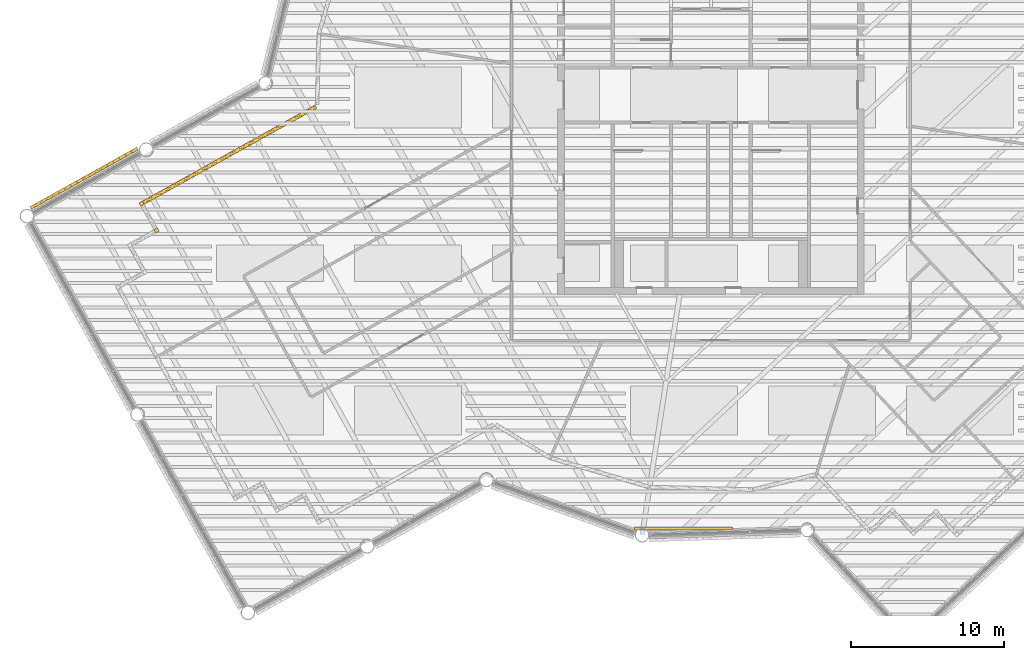
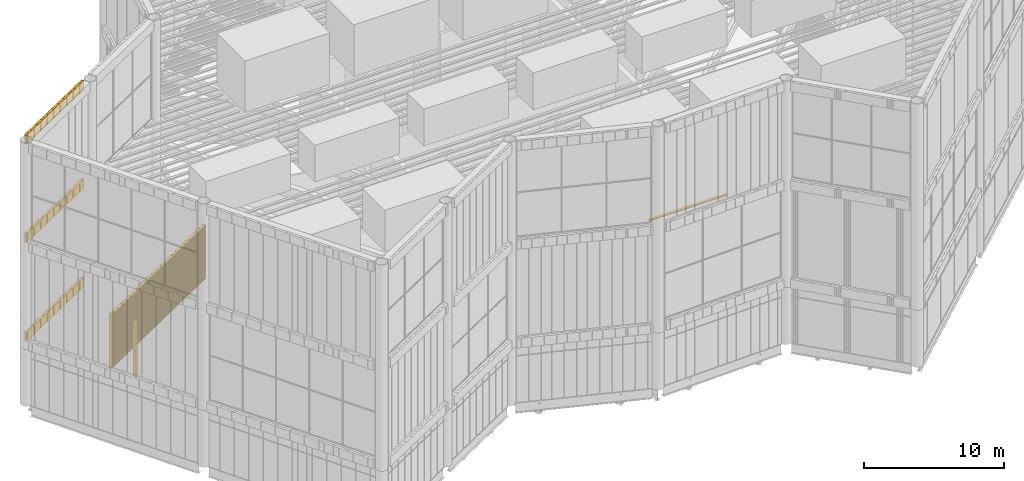
# One storey, part 92 of 117: 4 shading devices, 3 coverings.
"""IFC4 building model written with IfcOpenShell, lengths in metres."""

from ifc_helpers import new_model, si_unit, direction, frame, frame_2d, origin, origin_2d, place, context, subcontext, project, spatial, rectangle, composite_profile, extrude, material, type_object, element, save


model = new_model("IFC4")

# Units and contexts
model_context = context("Model", 3, precision=1e-05, world=origin(), true_north=direction((0.0, 1.0)))
body_context = subcontext(model_context, "Body", "Model", "MODEL_VIEW")
ifc_project = project(units=[si_unit("LENGTHUNIT", "METRE"), si_unit("AREAUNIT", "SQUARE_METRE"), si_unit("VOLUMEUNIT", "CUBIC_METRE"), si_unit("PLANEANGLEUNIT", "RADIAN"), si_unit("MASSUNIT", "GRAM", prefix="KILO")], contexts=[model_context])

# Site, building, storey
site_placement = place(None, origin())
site = spatial("IfcSite", under=ifc_project, at=site_placement, CompositionType="ELEMENT")
building_placement = place(site_placement, origin())
building = spatial("IfcBuilding", under=site, at=building_placement, Name="Tarsis Ring Headquarters", CompositionType="ELEMENT")
storey_placement = place(building_placement, frame((0.0, 0.0, 403.60009765625)))
storey = spatial("IfcBuildingStorey", under=building, at=storey_placement, Name="L95", CompositionType="ELEMENT", Elevation=403.60009765625)

# Coverings
ifc_material_1 = material(Name="Terracotta louvre", Category="masonry")
covering_type = type_object("IfcCoveringType", Name="Crown louvre fin", PredefinedType="CLADDING", material=ifc_material_1)
covering_1_placement = place(storey_placement, frame((-37.385009765625, -3.4833984375, 5.0), z_axis=(0.0, 0.0, 1.0), x_axis=(-0.873594132029, -0.486644254279, 0.0)))
element("IfcCovering", 1, at=covering_1_placement, inside=storey, type_object=covering_type, Name="Crown louvre fascia R15", PredefinedType="CLADDING", context=body_context, shape_type="SweptSolid", body=[
    extrude(composite_profile([rectangle(XDim=0.14501953125, YDim=0.199951171875, at=frame_2d((0.072509765625, 0.0))), rectangle(XDim=0.14501953125, YDim=0.199951171875, at=frame_2d((0.223388671875, 0.0))), rectangle(XDim=0.14501953125, YDim=0.199951171875, at=frame_2d((0.374267578125, 0.0))), rectangle(XDim=0.14501953125, YDim=0.199951171875, at=frame_2d((0.52490234375, 0.0))), rectangle(XDim=0.14501953125, YDim=0.199951171875, at=frame_2d((0.67578125, 0.0))), rectangle(XDim=0.14501953125, YDim=0.199951171875, at=frame_2d((0.82666015625, 0.0))), rectangle(XDim=0.14501953125, YDim=0.199951171875, at=frame_2d((0.9775390625, 0.0))), rectangle(XDim=0.14501953125, YDim=0.199951171875, at=frame_2d((1.12841796875, 0.0))), rectangle(XDim=0.14501953125, YDim=0.199951171875, at=frame_2d((1.279052734375, 0.0))), rectangle(XDim=0.14501953125, YDim=0.199951171875, at=frame_2d((1.429931640625, 0.0))), rectangle(XDim=0.14501953125, YDim=0.199951171875, at=frame_2d((1.580810546875, 0.0))), rectangle(XDim=0.14501953125, YDim=0.199951171875, at=frame_2d((1.731689453125, 0.0))), rectangle(XDim=0.14501953125, YDim=0.199951171875, at=frame_2d((1.882568359375, 0.0))), rectangle(XDim=0.14501953125, YDim=0.199951171875, at=frame_2d((2.033203125, 0.0))), rectangle(XDim=0.14501953125, YDim=0.199951171875, at=frame_2d((2.18408203125, 0.0))), rectangle(XDim=0.14501953125, YDim=0.199951171875, at=frame_2d((2.3349609375, 0.0))), rectangle(XDim=0.14501953125, YDim=0.199951171875, at=frame_2d((2.48583984375, 0.0))), rectangle(XDim=0.14501953125, YDim=0.199951171875, at=frame_2d((2.63671875, 0.0))), rectangle(XDim=0.14501953125, YDim=0.199951171875, at=frame_2d((2.78759765625, 0.0))), rectangle(XDim=0.14501953125, YDim=0.199951171875, at=frame_2d((2.938232421875, 0.0))), rectangle(XDim=0.14501953125, YDim=0.199951171875, at=frame_2d((3.089111328125, 0.0))), rectangle(XDim=0.14501953125, YDim=0.199951171875, at=frame_2d((3.239990234375, 0.0))), rectangle(XDim=0.14501953125, YDim=0.199951171875, at=frame_2d((3.390869140625, 0.0))), rectangle(XDim=0.14501953125, YDim=0.199951171875, at=frame_2d((3.541748046875, 0.0))), rectangle(XDim=0.14501953125, YDim=0.199951171875, at=frame_2d((3.6923828125, 0.0))), rectangle(XDim=0.14501953125, YDim=0.199951171875, at=frame_2d((3.84326171875, 0.0))), rectangle(XDim=0.14501953125, YDim=0.199951171875, at=frame_2d((3.994140625, 0.0))), rectangle(XDim=0.14501953125, YDim=0.199951171875, at=frame_2d((4.14501953125, 0.0))), rectangle(XDim=0.14501953125, YDim=0.199951171875, at=frame_2d((4.2958984375, 0.0))), rectangle(XDim=0.14501953125, YDim=0.199951171875, at=frame_2d((4.446533203125, 0.0))), rectangle(XDim=0.14501953125, YDim=0.199951171875, at=frame_2d((4.597412109375, 0.0))), rectangle(XDim=0.14501953125, YDim=0.199951171875, at=frame_2d((4.748291015625, 0.0))), rectangle(XDim=0.14501953125, YDim=0.199951171875, at=frame_2d((4.899169921875, 0.0))), rectangle(XDim=0.14501953125, YDim=0.199951171875, at=frame_2d((5.050048828125, 0.0))), rectangle(XDim=0.14501953125, YDim=0.199951171875, at=frame_2d((5.20068359375, 0.0))), rectangle(XDim=0.14501953125, YDim=0.199951171875, at=frame_2d((5.3515625, 0.0))), rectangle(XDim=0.14501953125, YDim=0.199951171875, at=frame_2d((5.50244140625, 0.0))), rectangle(XDim=0.14501953125, YDim=0.199951171875, at=frame_2d((5.6533203125, 0.0))), rectangle(XDim=0.14501953125, YDim=0.199951171875, at=frame_2d((5.80419921875, 0.0))), rectangle(XDim=0.14501953125, YDim=0.199951171875, at=frame_2d((5.955078125, 0.0))), rectangle(XDim=0.14501953125, YDim=0.199951171875, at=frame_2d((6.105712890625, 0.0))), rectangle(XDim=0.14501953125, YDim=0.199951171875, at=frame_2d((6.256591796875, 0.0))), rectangle(XDim=0.14501953125, YDim=0.199951171875, at=frame_2d((6.407470703125, 0.0))), rectangle(XDim=0.14501953125, YDim=0.199951171875, at=frame_2d((6.558349609375, 0.0))), rectangle(XDim=0.14501953125, YDim=0.199951171875, at=frame_2d((6.709228515625, 0.0))), rectangle(XDim=0.14501953125, YDim=0.199951171875, at=frame_2d((6.85986328125, 0.0))), rectangle(XDim=0.14501953125, YDim=0.199951171875, at=frame_2d((7.0107421875, 0.0))), rectangle(XDim=0.14501953125, YDim=0.199951171875, at=frame_2d((7.16162109375, 0.0))), rectangle(XDim=0.14501953125, YDim=0.199951171875, at=frame_2d((7.3125, 0.0))), rectangle(XDim=0.14501953125, YDim=0.199951171875, at=frame_2d((7.46337890625, 0.0))), rectangle(XDim=0.14501953125, YDim=0.199951171875, at=frame_2d((7.614013671875, 0.0))), rectangle(XDim=0.14501953125, YDim=0.199951171875, at=frame_2d((7.764892578125, 0.0))), rectangle(XDim=0.14501953125, YDim=0.199951171875, at=frame_2d((7.915771484375, 0.0)))]), origin(), (0.0, 0.0, 1.0), 0.7998046875),
])
covering_2_placement = place(storey_placement, frame((-37.385009765625, -3.4833984375, 13.599853515625), z_axis=(0.0, 0.0, 1.0), x_axis=(-0.873594132029, -0.486644254279, 0.0)))
element("IfcCovering", 2, at=covering_2_placement, inside=storey, type_object=covering_type, Name="Crown louvre fascia M15", PredefinedType="CLADDING", context=body_context, shape_type="SweptSolid", body=[
    extrude(composite_profile([rectangle(XDim=0.14501953125, YDim=0.199951171875, at=frame_2d((0.072509765625, 0.0))), rectangle(XDim=0.14501953125, YDim=0.199951171875, at=frame_2d((0.223388671875, 0.0))), rectangle(XDim=0.14501953125, YDim=0.199951171875, at=frame_2d((0.374267578125, 0.0))), rectangle(XDim=0.14501953125, YDim=0.199951171875, at=frame_2d((0.52490234375, 0.0))), rectangle(XDim=0.14501953125, YDim=0.199951171875, at=frame_2d((0.67578125, 0.0))), rectangle(XDim=0.14501953125, YDim=0.199951171875, at=frame_2d((0.82666015625, 0.0))), rectangle(XDim=0.14501953125, YDim=0.199951171875, at=frame_2d((0.9775390625, 0.0))), rectangle(XDim=0.14501953125, YDim=0.199951171875, at=frame_2d((1.12841796875, 0.0))), rectangle(XDim=0.14501953125, YDim=0.199951171875, at=frame_2d((1.279052734375, 0.0))), rectangle(XDim=0.14501953125, YDim=0.199951171875, at=frame_2d((1.429931640625, 0.0))), rectangle(XDim=0.14501953125, YDim=0.199951171875, at=frame_2d((1.580810546875, 0.0))), rectangle(XDim=0.14501953125, YDim=0.199951171875, at=frame_2d((1.731689453125, 0.0))), rectangle(XDim=0.14501953125, YDim=0.199951171875, at=frame_2d((1.882568359375, 0.0))), rectangle(XDim=0.14501953125, YDim=0.199951171875, at=frame_2d((2.033203125, 0.0))), rectangle(XDim=0.14501953125, YDim=0.199951171875, at=frame_2d((2.18408203125, 0.0))), rectangle(XDim=0.14501953125, YDim=0.199951171875, at=frame_2d((2.3349609375, 0.0))), rectangle(XDim=0.14501953125, YDim=0.199951171875, at=frame_2d((2.48583984375, 0.0))), rectangle(XDim=0.14501953125, YDim=0.199951171875, at=frame_2d((2.63671875, 0.0))), rectangle(XDim=0.14501953125, YDim=0.199951171875, at=frame_2d((2.78759765625, 0.0))), rectangle(XDim=0.14501953125, YDim=0.199951171875, at=frame_2d((2.938232421875, 0.0))), rectangle(XDim=0.14501953125, YDim=0.199951171875, at=frame_2d((3.089111328125, 0.0))), rectangle(XDim=0.14501953125, YDim=0.199951171875, at=frame_2d((3.239990234375, 0.0))), rectangle(XDim=0.14501953125, YDim=0.199951171875, at=frame_2d((3.390869140625, 0.0))), rectangle(XDim=0.14501953125, YDim=0.199951171875, at=frame_2d((3.541748046875, 0.0))), rectangle(XDim=0.14501953125, YDim=0.199951171875, at=frame_2d((3.6923828125, 0.0))), rectangle(XDim=0.14501953125, YDim=0.199951171875, at=frame_2d((3.84326171875, 0.0))), rectangle(XDim=0.14501953125, YDim=0.199951171875, at=frame_2d((3.994140625, 0.0))), rectangle(XDim=0.14501953125, YDim=0.199951171875, at=frame_2d((4.14501953125, 0.0))), rectangle(XDim=0.14501953125, YDim=0.199951171875, at=frame_2d((4.2958984375, 0.0))), rectangle(XDim=0.14501953125, YDim=0.199951171875, at=frame_2d((4.446533203125, 0.0))), rectangle(XDim=0.14501953125, YDim=0.199951171875, at=frame_2d((4.597412109375, 0.0))), rectangle(XDim=0.14501953125, YDim=0.199951171875, at=frame_2d((4.748291015625, 0.0))), rectangle(XDim=0.14501953125, YDim=0.199951171875, at=frame_2d((4.899169921875, 0.0))), rectangle(XDim=0.14501953125, YDim=0.199951171875, at=frame_2d((5.050048828125, 0.0))), rectangle(XDim=0.14501953125, YDim=0.199951171875, at=frame_2d((5.20068359375, 0.0))), rectangle(XDim=0.14501953125, YDim=0.199951171875, at=frame_2d((5.3515625, 0.0))), rectangle(XDim=0.14501953125, YDim=0.199951171875, at=frame_2d((5.50244140625, 0.0))), rectangle(XDim=0.14501953125, YDim=0.199951171875, at=frame_2d((5.6533203125, 0.0))), rectangle(XDim=0.14501953125, YDim=0.199951171875, at=frame_2d((5.80419921875, 0.0))), rectangle(XDim=0.14501953125, YDim=0.199951171875, at=frame_2d((5.955078125, 0.0))), rectangle(XDim=0.14501953125, YDim=0.199951171875, at=frame_2d((6.105712890625, 0.0))), rectangle(XDim=0.14501953125, YDim=0.199951171875, at=frame_2d((6.256591796875, 0.0))), rectangle(XDim=0.14501953125, YDim=0.199951171875, at=frame_2d((6.407470703125, 0.0))), rectangle(XDim=0.14501953125, YDim=0.199951171875, at=frame_2d((6.558349609375, 0.0))), rectangle(XDim=0.14501953125, YDim=0.199951171875, at=frame_2d((6.709228515625, 0.0))), rectangle(XDim=0.14501953125, YDim=0.199951171875, at=frame_2d((6.85986328125, 0.0))), rectangle(XDim=0.14501953125, YDim=0.199951171875, at=frame_2d((7.0107421875, 0.0))), rectangle(XDim=0.14501953125, YDim=0.199951171875, at=frame_2d((7.16162109375, 0.0))), rectangle(XDim=0.14501953125, YDim=0.199951171875, at=frame_2d((7.3125, 0.0))), rectangle(XDim=0.14501953125, YDim=0.199951171875, at=frame_2d((7.46337890625, 0.0))), rectangle(XDim=0.14501953125, YDim=0.199951171875, at=frame_2d((7.614013671875, 0.0))), rectangle(XDim=0.14501953125, YDim=0.199951171875, at=frame_2d((7.764892578125, 0.0))), rectangle(XDim=0.14501953125, YDim=0.199951171875, at=frame_2d((7.915771484375, 0.0)))]), origin(), (0.0, 0.0, 1.0), 0.800048828125),
])
covering_3_placement = place(storey_placement, frame((-37.385009765625, -3.4833984375, 22.199951171875), z_axis=(0.0, 0.0, 1.0), x_axis=(-0.873594132029, -0.486644254279, 0.0)))
element("IfcCovering", 3, at=covering_3_placement, inside=storey, type_object=covering_type, Name="Crown louvre fascia T15", PredefinedType="CLADDING", context=body_context, shape_type="SweptSolid", body=[
    extrude(composite_profile([rectangle(XDim=0.14501953125, YDim=0.199951171875, at=frame_2d((0.072509765625, 0.0))), rectangle(XDim=0.14501953125, YDim=0.199951171875, at=frame_2d((0.223388671875, 0.0))), rectangle(XDim=0.14501953125, YDim=0.199951171875, at=frame_2d((0.374267578125, 0.0))), rectangle(XDim=0.14501953125, YDim=0.199951171875, at=frame_2d((0.52490234375, 0.0))), rectangle(XDim=0.14501953125, YDim=0.199951171875, at=frame_2d((0.67578125, 0.0))), rectangle(XDim=0.14501953125, YDim=0.199951171875, at=frame_2d((0.82666015625, 0.0))), rectangle(XDim=0.14501953125, YDim=0.199951171875, at=frame_2d((0.9775390625, 0.0))), rectangle(XDim=0.14501953125, YDim=0.199951171875, at=frame_2d((1.12841796875, 0.0))), rectangle(XDim=0.14501953125, YDim=0.199951171875, at=frame_2d((1.279052734375, 0.0))), rectangle(XDim=0.14501953125, YDim=0.199951171875, at=frame_2d((1.429931640625, 0.0))), rectangle(XDim=0.14501953125, YDim=0.199951171875, at=frame_2d((1.580810546875, 0.0))), rectangle(XDim=0.14501953125, YDim=0.199951171875, at=frame_2d((1.731689453125, 0.0))), rectangle(XDim=0.14501953125, YDim=0.199951171875, at=frame_2d((1.882568359375, 0.0))), rectangle(XDim=0.14501953125, YDim=0.199951171875, at=frame_2d((2.033203125, 0.0))), rectangle(XDim=0.14501953125, YDim=0.199951171875, at=frame_2d((2.18408203125, 0.0))), rectangle(XDim=0.14501953125, YDim=0.199951171875, at=frame_2d((2.3349609375, 0.0))), rectangle(XDim=0.14501953125, YDim=0.199951171875, at=frame_2d((2.48583984375, 0.0))), rectangle(XDim=0.14501953125, YDim=0.199951171875, at=frame_2d((2.63671875, 0.0))), rectangle(XDim=0.14501953125, YDim=0.199951171875, at=frame_2d((2.78759765625, 0.0))), rectangle(XDim=0.14501953125, YDim=0.199951171875, at=frame_2d((2.938232421875, 0.0))), rectangle(XDim=0.14501953125, YDim=0.199951171875, at=frame_2d((3.089111328125, 0.0))), rectangle(XDim=0.14501953125, YDim=0.199951171875, at=frame_2d((3.239990234375, 0.0))), rectangle(XDim=0.14501953125, YDim=0.199951171875, at=frame_2d((3.390869140625, 0.0))), rectangle(XDim=0.14501953125, YDim=0.199951171875, at=frame_2d((3.541748046875, 0.0))), rectangle(XDim=0.14501953125, YDim=0.199951171875, at=frame_2d((3.6923828125, 0.0))), rectangle(XDim=0.14501953125, YDim=0.199951171875, at=frame_2d((3.84326171875, 0.0))), rectangle(XDim=0.14501953125, YDim=0.199951171875, at=frame_2d((3.994140625, 0.0))), rectangle(XDim=0.14501953125, YDim=0.199951171875, at=frame_2d((4.14501953125, 0.0))), rectangle(XDim=0.14501953125, YDim=0.199951171875, at=frame_2d((4.2958984375, 0.0))), rectangle(XDim=0.14501953125, YDim=0.199951171875, at=frame_2d((4.446533203125, 0.0))), rectangle(XDim=0.14501953125, YDim=0.199951171875, at=frame_2d((4.597412109375, 0.0))), rectangle(XDim=0.14501953125, YDim=0.199951171875, at=frame_2d((4.748291015625, 0.0))), rectangle(XDim=0.14501953125, YDim=0.199951171875, at=frame_2d((4.899169921875, 0.0))), rectangle(XDim=0.14501953125, YDim=0.199951171875, at=frame_2d((5.050048828125, 0.0))), rectangle(XDim=0.14501953125, YDim=0.199951171875, at=frame_2d((5.20068359375, 0.0))), rectangle(XDim=0.14501953125, YDim=0.199951171875, at=frame_2d((5.3515625, 0.0))), rectangle(XDim=0.14501953125, YDim=0.199951171875, at=frame_2d((5.50244140625, 0.0))), rectangle(XDim=0.14501953125, YDim=0.199951171875, at=frame_2d((5.6533203125, 0.0))), rectangle(XDim=0.14501953125, YDim=0.199951171875, at=frame_2d((5.80419921875, 0.0))), rectangle(XDim=0.14501953125, YDim=0.199951171875, at=frame_2d((5.955078125, 0.0))), rectangle(XDim=0.14501953125, YDim=0.199951171875, at=frame_2d((6.105712890625, 0.0))), rectangle(XDim=0.14501953125, YDim=0.199951171875, at=frame_2d((6.256591796875, 0.0))), rectangle(XDim=0.14501953125, YDim=0.199951171875, at=frame_2d((6.407470703125, 0.0))), rectangle(XDim=0.14501953125, YDim=0.199951171875, at=frame_2d((6.558349609375, 0.0))), rectangle(XDim=0.14501953125, YDim=0.199951171875, at=frame_2d((6.709228515625, 0.0))), rectangle(XDim=0.14501953125, YDim=0.199951171875, at=frame_2d((6.85986328125, 0.0))), rectangle(XDim=0.14501953125, YDim=0.199951171875, at=frame_2d((7.0107421875, 0.0))), rectangle(XDim=0.14501953125, YDim=0.199951171875, at=frame_2d((7.16162109375, 0.0))), rectangle(XDim=0.14501953125, YDim=0.199951171875, at=frame_2d((7.3125, 0.0))), rectangle(XDim=0.14501953125, YDim=0.199951171875, at=frame_2d((7.46337890625, 0.0))), rectangle(XDim=0.14501953125, YDim=0.199951171875, at=frame_2d((7.614013671875, 0.0))), rectangle(XDim=0.14501953125, YDim=0.199951171875, at=frame_2d((7.764892578125, 0.0))), rectangle(XDim=0.14501953125, YDim=0.199951171875, at=frame_2d((7.915771484375, 0.0)))]), origin(), (0.0, 0.0, 1.0), 0.800048828125),
])

# Shading devices
ifc_material_2 = material(Name="Aluminium louvre", Category="aluminium")
shading_device_type_1 = type_object("IfcShadingDeviceType", Name="Crown roof louvre blade", PredefinedType="USERDEFINED", material=ifc_material_2)
shading_device_1_placement = place(storey_placement, frame((-1.773193359375, -28.26416015625, 14.39990234375), z_axis=(0.0, 0.0, 1.0), x_axis=(1.0, 0.0, 0.0)))
element("IfcShadingDevice", 4, at=shading_device_1_placement, inside=storey, type_object=shading_device_type_1, Name="Crown roof louvre 14", ObjectType="Crown roof louvre", PredefinedType="USERDEFINED", context=body_context, shape_type="SweptSolid", body=[
    extrude(rectangle(XDim=6.383056640625, YDim=0.199951171875, at=origin_2d()), origin(), (0.0, 0.0, 1.0), 0.10009765625),
])
shading_device_type_2 = type_object("IfcShadingDeviceType", Name="Plant louvre fin", PredefinedType="USERDEFINED", material=ifc_material_2)
shading_device_2_placement = place(storey_placement, frame((-25.739501953125, -0.7451171875, 0.0), z_axis=(0.0, 0.0, 1.0), x_axis=(-0.873609113617, -0.486639921278, 0.0)))
element("IfcShadingDevice", 5, at=shading_device_2_placement, inside=storey, type_object=shading_device_type_2, Name="Louvre L95-31", ObjectType="Louvre", PredefinedType="USERDEFINED", context=body_context, shape_type="SweptSolid", body=[
    extrude(composite_profile([rectangle(XDim=0.1201171875, YDim=0.239990234375, at=frame_2d((0.076171875, 0.0), x_axis=(0.990268068742, 0.13917310096))), rectangle(XDim=0.1201171875, YDim=0.239990234375, at=frame_2d((0.202392578125, 0.0), x_axis=(0.990268068742, 0.13917310096))), rectangle(XDim=0.1201171875, YDim=0.239990234375, at=frame_2d((0.32861328125, 0.0), x_axis=(0.990268068742, 0.13917310096))), rectangle(XDim=0.1201171875, YDim=0.239990234375, at=frame_2d((0.454833984375, 0.0), x_axis=(0.990268068742, 0.13917310096))), rectangle(XDim=0.1201171875, YDim=0.239990234375, at=frame_2d((0.5810546875, 0.0), x_axis=(0.990268068742, 0.13917310096))), rectangle(XDim=0.1201171875, YDim=0.239990234375, at=frame_2d((0.707275390625, 0.0), x_axis=(0.990268068742, 0.13917310096))), rectangle(XDim=0.1201171875, YDim=0.239990234375, at=frame_2d((0.83349609375, 0.0), x_axis=(0.990268068742, 0.13917310096))), rectangle(XDim=0.1201171875, YDim=0.239990234375, at=frame_2d((0.959716796875, 0.0), x_axis=(0.990268068742, 0.13917310096))), rectangle(XDim=0.1201171875, YDim=0.239990234375, at=frame_2d((1.0859375, 0.0), x_axis=(0.990268068742, 0.13917310096))), rectangle(XDim=0.1201171875, YDim=0.239990234375, at=frame_2d((1.212158203125, 0.0), x_axis=(0.990268068742, 0.13917310096))), rectangle(XDim=0.1201171875, YDim=0.239990234375, at=frame_2d((1.33837890625, 0.0), x_axis=(0.990268068742, 0.13917310096))), rectangle(XDim=0.1201171875, YDim=0.239990234375, at=frame_2d((1.464599609375, 0.0), x_axis=(0.990268068742, 0.13917310096))), rectangle(XDim=0.1201171875, YDim=0.239990234375, at=frame_2d((1.5908203125, 0.0), x_axis=(0.990268068742, 0.13917310096))), rectangle(XDim=0.1201171875, YDim=0.239990234375, at=frame_2d((1.717041015625, 0.0), x_axis=(0.990268068742, 0.13917310096))), rectangle(XDim=0.1201171875, YDim=0.239990234375, at=frame_2d((1.84326171875, 0.0), x_axis=(0.990268068742, 0.13917310096))), rectangle(XDim=0.1201171875, YDim=0.239990234375, at=frame_2d((1.969482421875, 0.0), x_axis=(0.990268068742, 0.13917310096))), rectangle(XDim=0.1201171875, YDim=0.239990234375, at=frame_2d((2.095703125, 0.0), x_axis=(0.990268068742, 0.13917310096))), rectangle(XDim=0.1201171875, YDim=0.239990234375, at=frame_2d((2.22216796875, 0.0), x_axis=(0.990268068742, 0.13917310096))), rectangle(XDim=0.1201171875, YDim=0.239990234375, at=frame_2d((2.348388671875, 0.0), x_axis=(0.990268068742, 0.13917310096))), rectangle(XDim=0.1201171875, YDim=0.239990234375, at=frame_2d((2.474609375, 0.0), x_axis=(0.990268068742, 0.13917310096))), rectangle(XDim=0.1201171875, YDim=0.239990234375, at=frame_2d((2.600830078125, 0.0), x_axis=(0.990268068742, 0.13917310096))), rectangle(XDim=0.1201171875, YDim=0.239990234375, at=frame_2d((2.72705078125, 0.0), x_axis=(0.990268068742, 0.13917310096))), rectangle(XDim=0.1201171875, YDim=0.239990234375, at=frame_2d((2.853271484375, 0.0), x_axis=(0.990268068742, 0.13917310096))), rectangle(XDim=0.1201171875, YDim=0.239990234375, at=frame_2d((2.9794921875, 0.0), x_axis=(0.990268068742, 0.13917310096))), rectangle(XDim=0.1201171875, YDim=0.239990234375, at=frame_2d((3.105712890625, 0.0), x_axis=(0.990268068742, 0.13917310096))), rectangle(XDim=0.1201171875, YDim=0.239990234375, at=frame_2d((3.23193359375, 0.0), x_axis=(0.990268068742, 0.13917310096))), rectangle(XDim=0.1201171875, YDim=0.239990234375, at=frame_2d((3.358154296875, 0.0), x_axis=(0.990268068742, 0.13917310096))), rectangle(XDim=0.1201171875, YDim=0.239990234375, at=frame_2d((3.484375, 0.0), x_axis=(0.990268068742, 0.13917310096))), rectangle(XDim=0.1201171875, YDim=0.239990234375, at=frame_2d((3.610595703125, 0.0), x_axis=(0.990268068742, 0.13917310096))), rectangle(XDim=0.1201171875, YDim=0.239990234375, at=frame_2d((3.73681640625, 0.0), x_axis=(0.990268068742, 0.13917310096))), rectangle(XDim=0.1201171875, YDim=0.239990234375, at=frame_2d((3.863037109375, 0.0), x_axis=(0.990268068742, 0.13917310096))), rectangle(XDim=0.1201171875, YDim=0.239990234375, at=frame_2d((3.9892578125, 0.0), x_axis=(0.990268068742, 0.13917310096))), rectangle(XDim=0.1201171875, YDim=0.239990234375, at=frame_2d((4.115478515625, 0.0), x_axis=(0.990268068742, 0.13917310096))), rectangle(XDim=0.1201171875, YDim=0.239990234375, at=frame_2d((4.24169921875, 0.0), x_axis=(0.990268068742, 0.13917310096))), rectangle(XDim=0.1201171875, YDim=0.239990234375, at=frame_2d((4.367919921875, 0.0), x_axis=(0.990268068742, 0.13917310096))), rectangle(XDim=0.1201171875, YDim=0.239990234375, at=frame_2d((4.494140625, 0.0), x_axis=(0.990268068742, 0.13917310096))), rectangle(XDim=0.1201171875, YDim=0.239990234375, at=frame_2d((4.620361328125, 0.0), x_axis=(0.990268068742, 0.13917310096))), rectangle(XDim=0.1201171875, YDim=0.239990234375, at=frame_2d((4.74658203125, 0.0), x_axis=(0.990268068742, 0.13917310096))), rectangle(XDim=0.1201171875, YDim=0.239990234375, at=frame_2d((4.872802734375, 0.0), x_axis=(0.990268068742, 0.13917310096))), rectangle(XDim=0.1201171875, YDim=0.239990234375, at=frame_2d((4.9990234375, 0.0), x_axis=(0.990268068742, 0.13917310096))), rectangle(XDim=0.1201171875, YDim=0.239990234375, at=frame_2d((5.125244140625, 0.0), x_axis=(0.990268068742, 0.13917310096))), rectangle(XDim=0.1201171875, YDim=0.239990234375, at=frame_2d((5.25146484375, 0.0), x_axis=(0.990268068742, 0.13917310096))), rectangle(XDim=0.1201171875, YDim=0.239990234375, at=frame_2d((5.377685546875, 0.0), x_axis=(0.990268068742, 0.13917310096))), rectangle(XDim=0.1201171875, YDim=0.239990234375, at=frame_2d((5.50390625, 0.0), x_axis=(0.990268068742, 0.13917310096))), rectangle(XDim=0.1201171875, YDim=0.239990234375, at=frame_2d((5.630126953125, 0.0), x_axis=(0.990268068742, 0.13917310096))), rectangle(XDim=0.1201171875, YDim=0.239990234375, at=frame_2d((5.75634765625, 0.0), x_axis=(0.990268068742, 0.13917310096))), rectangle(XDim=0.1201171875, YDim=0.239990234375, at=frame_2d((5.882568359375, 0.0), x_axis=(0.990268068742, 0.13917310096))), rectangle(XDim=0.1201171875, YDim=0.239990234375, at=frame_2d((6.0087890625, 0.0), x_axis=(0.990268068742, 0.13917310096))), rectangle(XDim=0.1201171875, YDim=0.239990234375, at=frame_2d((6.135009765625, 0.0), x_axis=(0.990268068742, 0.13917310096))), rectangle(XDim=0.1201171875, YDim=0.239990234375, at=frame_2d((6.26123046875, 0.0), x_axis=(0.990268068742, 0.13917310096))), rectangle(XDim=0.1201171875, YDim=0.239990234375, at=frame_2d((6.387451171875, 0.0), x_axis=(0.990268068742, 0.13917310096))), rectangle(XDim=0.1201171875, YDim=0.239990234375, at=frame_2d((6.513916015625, 0.0), x_axis=(0.990268068742, 0.13917310096))), rectangle(XDim=0.1201171875, YDim=0.239990234375, at=frame_2d((6.64013671875, 0.0), x_axis=(0.990268068742, 0.13917310096))), rectangle(XDim=0.1201171875, YDim=0.239990234375, at=frame_2d((6.766357421875, 0.0), x_axis=(0.990268068742, 0.13917310096))), rectangle(XDim=0.1201171875, YDim=0.239990234375, at=frame_2d((6.892578125, 0.0), x_axis=(0.990268068742, 0.13917310096))), rectangle(XDim=0.1201171875, YDim=0.239990234375, at=frame_2d((7.018798828125, 0.0), x_axis=(0.990268068742, 0.13917310096))), rectangle(XDim=0.1201171875, YDim=0.239990234375, at=frame_2d((7.14501953125, 0.0), x_axis=(0.990268068742, 0.13917310096))), rectangle(XDim=0.1201171875, YDim=0.239990234375, at=frame_2d((7.271240234375, 0.0), x_axis=(0.990268068742, 0.13917310096))), rectangle(XDim=0.1201171875, YDim=0.239990234375, at=frame_2d((7.3974609375, 0.0), x_axis=(0.990268068742, 0.13917310096))), rectangle(XDim=0.1201171875, YDim=0.239990234375, at=frame_2d((7.523681640625, 0.0), x_axis=(0.990268068742, 0.13917310096))), rectangle(XDim=0.1201171875, YDim=0.239990234375, at=frame_2d((7.64990234375, 0.0), x_axis=(0.990268068742, 0.13917310096))), rectangle(XDim=0.1201171875, YDim=0.239990234375, at=frame_2d((7.776123046875, 0.0), x_axis=(0.990268068742, 0.13917310096))), rectangle(XDim=0.1201171875, YDim=0.239990234375, at=frame_2d((7.90234375, 0.0), x_axis=(0.990268068742, 0.13917310096))), rectangle(XDim=0.1201171875, YDim=0.239990234375, at=frame_2d((8.028564453125, 0.0), x_axis=(0.990268068742, 0.13917310096))), rectangle(XDim=0.1201171875, YDim=0.239990234375, at=frame_2d((8.15478515625, 0.0), x_axis=(0.990268068742, 0.13917310096))), rectangle(XDim=0.1201171875, YDim=0.239990234375, at=frame_2d((8.281005859375, 0.0), x_axis=(0.990268068742, 0.13917310096))), rectangle(XDim=0.1201171875, YDim=0.239990234375, at=frame_2d((8.4072265625, 0.0), x_axis=(0.990268068742, 0.13917310096))), rectangle(XDim=0.1201171875, YDim=0.239990234375, at=frame_2d((8.533447265625, 0.0), x_axis=(0.990268068742, 0.13917310096))), rectangle(XDim=0.1201171875, YDim=0.239990234375, at=frame_2d((8.65966796875, 0.0), x_axis=(0.990268068742, 0.13917310096))), rectangle(XDim=0.1201171875, YDim=0.239990234375, at=frame_2d((8.785888671875, 0.0), x_axis=(0.990268068742, 0.13917310096))), rectangle(XDim=0.1201171875, YDim=0.239990234375, at=frame_2d((8.912109375, 0.0), x_axis=(0.990268068742, 0.13917310096))), rectangle(XDim=0.1201171875, YDim=0.239990234375, at=frame_2d((9.038330078125, 0.0), x_axis=(0.990268068742, 0.13917310096))), rectangle(XDim=0.1201171875, YDim=0.239990234375, at=frame_2d((9.16455078125, 0.0), x_axis=(0.990268068742, 0.13917310096))), rectangle(XDim=0.1201171875, YDim=0.239990234375, at=frame_2d((9.290771484375, 0.0), x_axis=(0.990268068742, 0.13917310096))), rectangle(XDim=0.1201171875, YDim=0.239990234375, at=frame_2d((9.4169921875, 0.0), x_axis=(0.990268068742, 0.13917310096))), rectangle(XDim=0.1201171875, YDim=0.239990234375, at=frame_2d((9.543212890625, 0.0), x_axis=(0.990268068742, 0.13917310096))), rectangle(XDim=0.1201171875, YDim=0.239990234375, at=frame_2d((9.66943359375, 0.0), x_axis=(0.990268068742, 0.13917310096))), rectangle(XDim=0.1201171875, YDim=0.239990234375, at=frame_2d((9.795654296875, 0.0), x_axis=(0.990268068742, 0.13917310096))), rectangle(XDim=0.1201171875, YDim=0.239990234375, at=frame_2d((9.921875, 0.0), x_axis=(0.990268068742, 0.13917310096))), rectangle(XDim=0.1201171875, YDim=0.239990234375, at=frame_2d((10.048095703125, 0.0), x_axis=(0.990268068742, 0.13917310096))), rectangle(XDim=0.1201171875, YDim=0.239990234375, at=frame_2d((10.17431640625, 0.0), x_axis=(0.990268068742, 0.13917310096))), rectangle(XDim=0.1201171875, YDim=0.239990234375, at=frame_2d((10.300537109375, 0.0), x_axis=(0.990268068742, 0.13917310096))), rectangle(XDim=0.1201171875, YDim=0.239990234375, at=frame_2d((10.4267578125, 0.0), x_axis=(0.990268068742, 0.13917310096))), rectangle(XDim=0.1201171875, YDim=0.239990234375, at=frame_2d((10.552978515625, 0.0), x_axis=(0.990268068742, 0.13917310096))), rectangle(XDim=0.1201171875, YDim=0.239990234375, at=frame_2d((10.67919921875, 0.0), x_axis=(0.990268068742, 0.13917310096))), rectangle(XDim=0.1201171875, YDim=0.239990234375, at=frame_2d((10.8056640625, 0.0), x_axis=(0.990268068742, 0.13917310096))), rectangle(XDim=0.1201171875, YDim=0.239990234375, at=frame_2d((10.931884765625, 0.0), x_axis=(0.990268068742, 0.13917310096))), rectangle(XDim=0.1201171875, YDim=0.239990234375, at=frame_2d((11.05810546875, 0.0), x_axis=(0.990268068742, 0.13917310096))), rectangle(XDim=0.1201171875, YDim=0.239990234375, at=frame_2d((11.184326171875, 0.0), x_axis=(0.990268068742, 0.13917310096))), rectangle(XDim=0.1201171875, YDim=0.239990234375, at=frame_2d((11.310546875, 0.0), x_axis=(0.990268068742, 0.13917310096))), rectangle(XDim=0.1201171875, YDim=0.239990234375, at=frame_2d((11.436767578125, 0.0), x_axis=(0.990268068742, 0.13917310096))), rectangle(XDim=0.1201171875, YDim=0.239990234375, at=frame_2d((11.56298828125, 0.0), x_axis=(0.990268068742, 0.13917310096))), rectangle(XDim=0.1201171875, YDim=0.239990234375, at=frame_2d((11.689208984375, 0.0), x_axis=(0.990268068742, 0.13917310096))), rectangle(XDim=0.1201171875, YDim=0.239990234375, at=frame_2d((11.8154296875, 0.0), x_axis=(0.990268068742, 0.13917310096))), rectangle(XDim=0.1201171875, YDim=0.239990234375, at=frame_2d((11.941650390625, 0.0), x_axis=(0.990268068742, 0.13917310096))), rectangle(XDim=0.1201171875, YDim=0.239990234375, at=frame_2d((12.06787109375, 0.0), x_axis=(0.990268068742, 0.13917310096))), rectangle(XDim=0.1201171875, YDim=0.239990234375, at=frame_2d((12.194091796875, 0.0), x_axis=(0.990268068742, 0.13917310096))), rectangle(XDim=0.1201171875, YDim=0.239990234375, at=frame_2d((12.3203125, 0.0), x_axis=(0.990268068742, 0.13917310096))), rectangle(XDim=0.1201171875, YDim=0.239990234375, at=frame_2d((12.446533203125, 0.0), x_axis=(0.990268068742, 0.13917310096))), rectangle(XDim=0.1201171875, YDim=0.239990234375, at=frame_2d((12.57275390625, 0.0), x_axis=(0.990268068742, 0.13917310096))), rectangle(XDim=0.1201171875, YDim=0.239990234375, at=frame_2d((12.698974609375, 0.0), x_axis=(0.990268068742, 0.13917310096))), rectangle(XDim=0.1201171875, YDim=0.239990234375, at=frame_2d((12.8251953125, 0.0), x_axis=(0.990268068742, 0.13917310096)))]), origin(), (0.0, 0.0, 1.0), 4.699951171875),
])
ifc_material_3 = material(Name="Terracotta baguette", Category="masonry")
shading_device_type_3 = type_object("IfcShadingDeviceType", Name="Terracotta corner baguette 250x250", PredefinedType="USERDEFINED", material=ifc_material_3)
for number, where, z_axis, x_axis, name in (
    (6, (-37.119384765625, -7.084228515625, 0.0), (0.0, 0.0, 1.0), (-0.873602381252, -0.486640400574, 0.0), "Corner baguette L95-32"),
    (7, (-36.14599609375, -8.831298828125, 0.0), (0.0, 0.0, 1.0), (0.486640431068, -0.873602364265, 0.0), "Corner baguette L95-33"),
):
    element("IfcShadingDevice", number, at=place(storey_placement, frame(where, z_axis=z_axis, x_axis=x_axis)), inside=storey, type_object=shading_device_type_3, Name=name, ObjectType="Terracotta corner baguette", PredefinedType="USERDEFINED", context=body_context, shape_type="SweptSolid", body=[
        extrude(rectangle(XDim=0.25, YDim=0.25, at=origin_2d()), origin(), (0.0, 0.0, 1.0), 4.699951171875),
    ])

save(model, "model.ifc")
